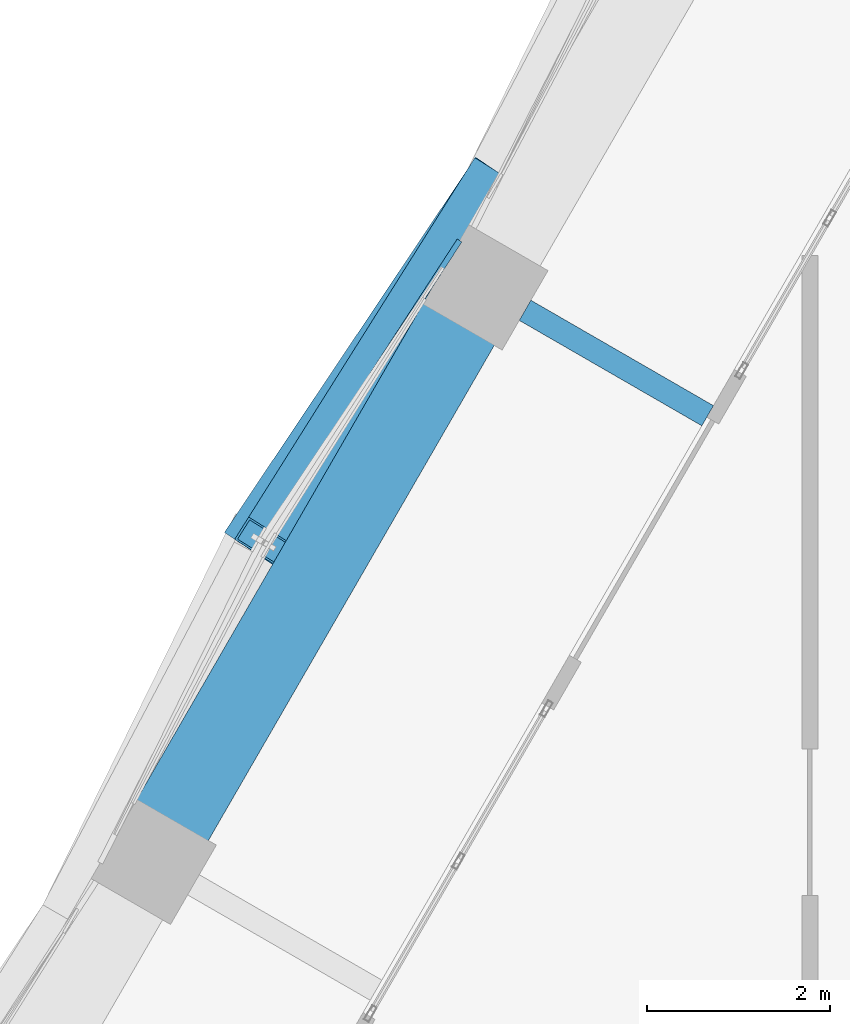
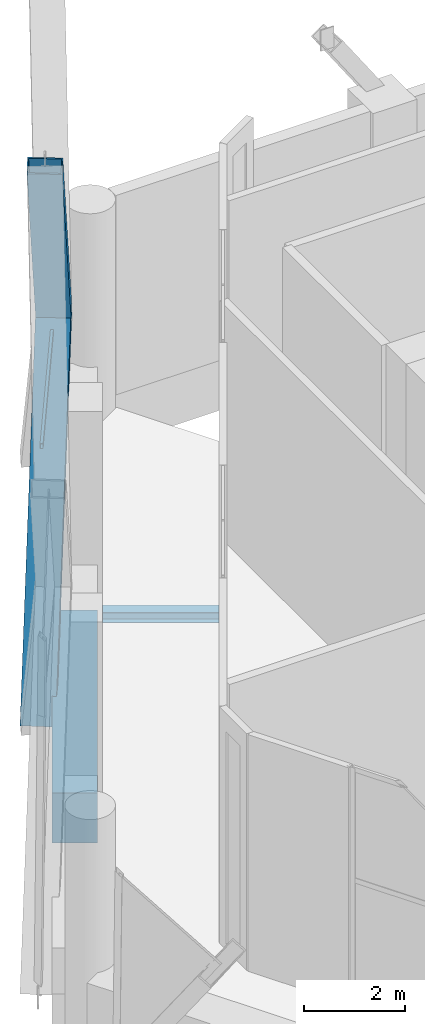
# One storey, part 16 of 43: 3 members, 2 beams, 1 element without a shape of its own.
"""IFC4 building model written with IfcOpenShell, lengths in metres."""

from ifc_helpers import new_model, si_unit, direction, frame, origin, origin_2d, place, context, subcontext, project, spatial, rectangle, hollow_rectangle, i_section, extrude, material, material_profile, profile_set, type_object, element, aggregate, save


model = new_model("IFC4")

# Units and contexts
model_context = context("Model", 3, precision=1e-05, world=origin(), true_north=direction((0.0, 1.0)))
body_context = subcontext(model_context, "Body", "Model", "MODEL_VIEW")
ifc_project = project(units=[si_unit("LENGTHUNIT", "METRE"), si_unit("AREAUNIT", "SQUARE_METRE"), si_unit("VOLUMEUNIT", "CUBIC_METRE"), si_unit("PLANEANGLEUNIT", "RADIAN"), si_unit("MASSUNIT", "GRAM", prefix="KILO")], contexts=[model_context])

# Site, building, storey
site_placement = place(None, origin())
site = spatial("IfcSite", under=ifc_project, at=site_placement, CompositionType="ELEMENT")
building_placement = place(site_placement, origin())
building = spatial("IfcBuilding", under=site, at=building_placement, Name="Ostrander Bayou Hotel Tower", CompositionType="ELEMENT")
storey_placement = place(building_placement, frame((0.0, 0.0, 151.0)))
storey = spatial("IfcBuildingStorey", under=building, at=storey_placement, Name="L37", CompositionType="ELEMENT", Elevation=151.0)

# Curtain wall, member
ifc_material_1 = material(Name="Aluminium and clear glass", Category="aluminium")
curtain_wall_type = type_object("IfcCurtainWallType", Name="CW-LAT lattice glazing", PredefinedType="NOTDEFINED", material=ifc_material_1)
curtain_wall_placement = place(storey_placement, origin())
curtain_wall = element("IfcCurtainWall", 1, at=curtain_wall_placement, inside=storey, type_object=curtain_wall_type, Name="CW-LAT L37 NW 2", PredefinedType="NOTDEFINED")
ifc_material_2 = material(Name="Aluminium", Category="aluminium")
ifc_material_profile_1 = material_profile(ifc_material_2, hollow_rectangle(XDim=0.06005859375, YDim=0.1201171875, WallThickness=0.00390625, at=origin_2d()))
ifc_profile_set_1 = profile_set([ifc_material_profile_1], Name="Aluminium")
member_type_1 = type_object("IfcMemberType", Name="CW-LA transom 60 x 120 mm", PredefinedType="USERDEFINED", material=ifc_profile_set_1)
member_1_placement = place(storey_placement, frame((-16.45849609375, 9.502197265625, 6.14990234375), z_axis=(0.544480989816, 0.838773182529, 0.0), x_axis=(-0.838773182529, 0.544480989816, 0.0)))
member_1 = element("IfcMember", 2, at=member_1_placement, type_object=member_type_1, Name="CW-LAT transom 6", ObjectType="TRANSOM", PredefinedType="USERDEFINED", context=body_context, shape_type="SweptSolid", body=[
    extrude(hollow_rectangle(XDim=0.06005859375, YDim=0.1201171875, WallThickness=0.00390625, at=origin_2d()), origin(), (0.0, 0.0, 1.0), 3.9248046875),
])
aggregate(curtain_wall, [member_1])

# Beam
ifc_material_3 = material(Name="Steel ASTM A992", Category="steel")
ifc_material_profile_2 = material_profile(ifc_material_3, i_section(OverallWidth=0.25390625, OverallDepth=0.25341796875, WebThickness=0.008544921875, FlangeThickness=0.01416015625, at=origin_2d()))
ifc_profile_set_2 = profile_set([ifc_material_profile_2], Name="Steel ASTM A992")
beam_type_1 = type_object("IfcBeamType", Name="LB2 loggia bracket W10x49", PredefinedType="BEAM", material=ifc_profile_set_2)
beam_1_placement = place(storey_placement, frame((-13.606201171875, 12.033203125, -0.4267578125), z_axis=(0.86602648383, -0.499998129301, 0.0), x_axis=(0.499998129301, 0.86602648383, 0.0)))
element("IfcBeam", 3, at=beam_1_placement, inside=storey, type_object=beam_type_1, Name="LB2 L37 NW1", PredefinedType="BEAM", context=body_context, shape_type="SweptSolid", body=[
    extrude(i_section(OverallWidth=0.25390625, OverallDepth=0.25341796875, WebThickness=0.008544921875, FlangeThickness=0.01416015625, at=origin_2d()), origin(), (0.0, 0.0, 1.0), 2.2998046875),
])

# Members
ifc_material_4 = material(Name="Steel ASTM A572 Gr 50", Category="steel")
ifc_material_profile_3 = material_profile(ifc_material_4, hollow_rectangle(XDim=0.699951171875, YDim=0.35009765625, WallThickness=0.02490234375, at=origin_2d()))
ifc_profile_set_3 = profile_set([ifc_material_profile_3], Name="Steel ASTM A572 Gr 50")
member_type_2 = type_object("IfcMemberType", Name="LT1 lattice member box 700 x 350 x 25 mm", PredefinedType="BRACE", material=ifc_profile_set_3)
member_2_placement = place(storey_placement, frame((-13.93505859375, 13.3896484375, 6.14990234375), z_axis=(-0.315022699045, -0.470656074491, -0.824162337547), x_axis=(0.831028608825, -0.556229674968, 0.0)))
element("IfcMember", 4, at=member_2_placement, inside=storey, type_object=member_type_2, Name="LT1 L37 NW 3", PredefinedType="BRACE", context=body_context, shape_type="SweptSolid", body=[
    extrude(hollow_rectangle(XDim=0.699951171875, YDim=0.35009765625, WallThickness=0.02490234375, at=origin_2d()), origin(), (0.0, 0.0, 1.0), 8.190185546875),
])
member_3_placement = place(storey_placement, frame((-13.93505859375, 13.3896484375, 6.14990234375), z_axis=(-0.30130571016, -0.478874174804, 0.824557089431), x_axis=(0.84639828836, -0.532550408376, 0.0)))
element("IfcMember", 5, at=member_3_placement, inside=storey, type_object=member_type_2, Name="LT1 L37 NW 4", PredefinedType="BRACE", context=body_context, shape_type="SweptSolid", body=[
    extrude(hollow_rectangle(XDim=0.699951171875, YDim=0.35009765625, WallThickness=0.02490234375, at=origin_2d()), origin(), (0.0, 0.0, 1.0), 8.186279296875),
])

# Beam
ifc_material_5 = material(Name="Concrete f'c 60 MPa", Category="concrete")
ifc_material_profile_4 = material_profile(ifc_material_5, rectangle(XDim=0.89990234375, YDim=1.199951171875, at=origin_2d()))
ifc_profile_set_4 = profile_set([ifc_material_profile_4], Name="Concrete f'c 60 MPa")
beam_type_2 = type_object("IfcBeamType", Name="SP3 spandrel beam 900 x 1200 mm f'c 60 MPa", PredefinedType="SPANDREL", material=ifc_profile_set_4)
beam_2_placement = place(storey_placement, frame((-14.3173828125, 11.9013671875, -0.60009765625), z_axis=(-0.500013351051, -0.866017695414, 0.0), x_axis=(0.866017695414, -0.500013351051, 0.0)))
element("IfcBeam", 6, at=beam_2_placement, inside=storey, type_object=beam_type_2, Name="SP3 L37 NW-2", PredefinedType="SPANDREL", context=body_context, shape_type="SweptSolid", body=[
    extrude(rectangle(XDim=0.89990234375, YDim=1.199951171875, at=origin_2d()), origin(), (0.0, 0.0, 1.0), 6.296142578125),
])

save(model, "model.ifc")
